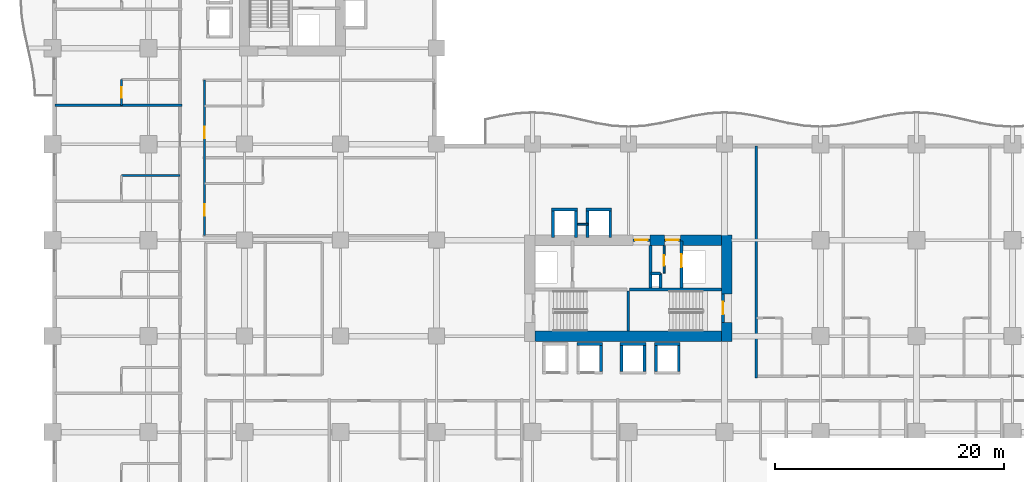
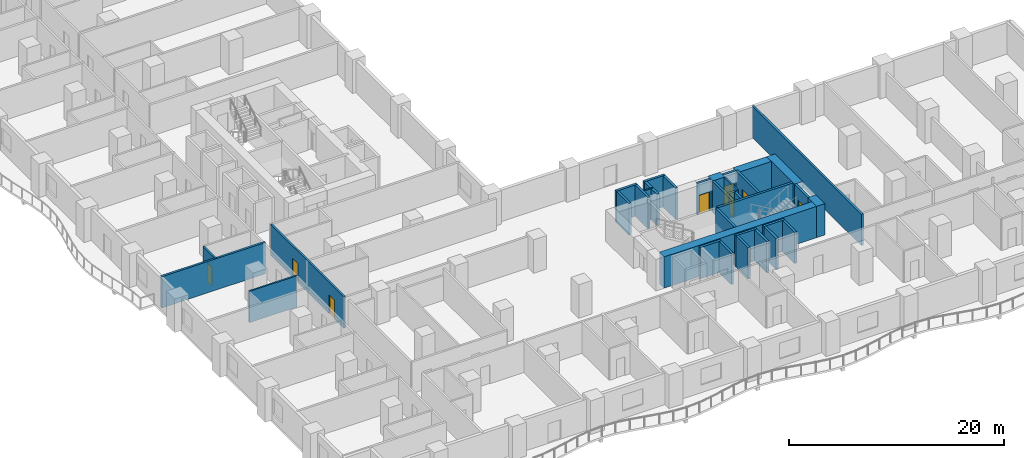
# One storey, part 10 of 23: 35 walls, 8 doors, 8 openings.
"""IFC4 building model written with IfcOpenShell, lengths in metres."""

from ifc_helpers import new_model, si_unit, direction, frame, frame_2d, origin, place, context, subcontext, project, spatial, rectangle, extrude, material, layer, layer_set, type_object, element, fill, save


model = new_model("IFC4")

# Units and contexts
model_context = context("Model", 3, precision=1e-05, world=origin(), true_north=direction((0.0, 1.0)))
body_context = subcontext(model_context, "Body", "Model", "MODEL_VIEW")
ifc_project = project(units=[si_unit("LENGTHUNIT", "METRE"), si_unit("AREAUNIT", "SQUARE_METRE"), si_unit("VOLUMEUNIT", "CUBIC_METRE"), si_unit("PLANEANGLEUNIT", "RADIAN"), si_unit("MASSUNIT", "GRAM", prefix="KILO")], contexts=[model_context])

# Site, building, storey
site_placement = place(None, origin())
site = spatial("IfcSite", under=ifc_project, at=site_placement, CompositionType="ELEMENT")
building_placement = place(site_placement, origin())
building = spatial("IfcBuilding", under=site, at=building_placement, Name="Koriwani Terraces Tower", CompositionType="ELEMENT")
storey_placement = place(building_placement, frame((0.0, 0.0, 32.0)))
storey = spatial("IfcBuildingStorey", under=building, at=storey_placement, Name="L06", CompositionType="ELEMENT", Elevation=32.0)

# Walls
ifc_material_1 = material(Name="Concrete C60/75", Category="concrete")
ifc_layer_1 = layer(ifc_material_1, 0.89990234375, Name="Concrete C60/75")
ifc_layer_set_1 = layer_set([ifc_layer_1], Name="Concrete C60/75")
wall_type_1 = type_object("IfcWallType", Name="WALL_CORE_RC_900", PredefinedType="SHEAR", material=ifc_layer_set_1)
wall_1_placement = place(storey_placement, frame((59.0, 16.35009765625, 0.0), z_axis=(0.0, 0.0, 1.0), x_axis=(0.0, 1.0, 0.0)))
element("IfcWall", 1, at=wall_1_placement, inside=storey, type_object=wall_type_1, Name="L06 East Split Core Shear Wall E1", PredefinedType="SHEAR", context=body_context, shape_type="SweptSolid", body=[
    extrude(rectangle(XDim=1.64990234375, YDim=0.89990234375, at=frame_2d((0.824951171875, 0.0))), origin(), (0.0, 0.0, 1.0), 3.550048828125),
])
wall_2_placement = place(storey_placement, frame((59.0, 20.5, 0.0), z_axis=(0.0, 0.0, 1.0), x_axis=(0.0, 1.0, 0.0)))
element("IfcWall", 2, at=wall_2_placement, inside=storey, type_object=wall_type_1, Name="L06 East Split Core Shear Wall E2", PredefinedType="SHEAR", context=body_context, shape_type="SweptSolid", body=[
    extrude(rectangle(XDim=5.14990234375, YDim=0.89990234375, at=frame_2d((2.574951171875, 0.0))), origin(), (0.0, 0.0, 1.0), 3.550048828125),
])
wall_3_placement = place(storey_placement, frame((42.199951171875, 16.800048828125, 0.0), z_axis=(0.0, 0.0, 1.0), x_axis=(1.0, 0.0, 0.0)))
element("IfcWall", 3, at=wall_3_placement, inside=storey, type_object=wall_type_1, Name="L06 East Split Core Shear Wall S1", PredefinedType="SHEAR", context=body_context, shape_type="SweptSolid", body=[
    extrude(rectangle(XDim=16.35009765625, YDim=0.89990234375, at=frame_2d((8.175048828125, 0.0))), origin(), (0.0, 0.0, 1.0), 3.550048828125),
])
wall_4_placement = place(storey_placement, frame((52.280029296875, 25.199951171875, 0.0), z_axis=(0.0, 0.0, 1.0), x_axis=(1.0, 0.0, 0.0)))
element("IfcWall", 4, at=wall_4_placement, inside=storey, type_object=wall_type_1, Name="L06 East Split Core Shear Wall N2", PredefinedType="SHEAR", context=body_context, shape_type="SweptSolid", body=[
    extrude(rectangle(XDim=1.27001953125, YDim=0.89990234375, at=frame_2d((0.635009765625, 0.0))), origin(), (0.0, 0.0, 1.0), 3.550048828125),
])
wall_5_placement = place(storey_placement, frame((54.949951171875, 25.199951171875, 0.0), z_axis=(0.0, 0.0, 1.0), x_axis=(1.0, 0.0, 0.0)))
element("IfcWall", 5, at=wall_5_placement, inside=storey, type_object=wall_type_1, Name="L06 East Split Core Shear Wall N3", PredefinedType="SHEAR", context=body_context, shape_type="SweptSolid", body=[
    extrude(rectangle(XDim=3.60009765625, YDim=0.89990234375, at=frame_2d((1.800048828125, 0.0))), origin(), (0.0, 0.0, 1.0), 3.550048828125),
])

# Wall, openings, doors
ifc_material_2 = material(Name="Autoclaved Cellular Concrete Blockwork", Category="masonry")
ifc_layer_2 = layer(ifc_material_2, 0.199951171875, Name="Autoclaved Cellular Concrete Blockwork")
ifc_layer_set_2 = layer_set([ifc_layer_2], Name="Autoclaved Cellular Concrete Blockwork")
wall_type_2 = type_object("IfcWallType", Name="WALL_CORRIDOR_200", PredefinedType="PARTITIONING", material=ifc_layer_set_2)
wall_6_placement = place(storey_placement, frame((13.300048828125, 25.60009765625, 0.0), z_axis=(0.0, 0.0, 1.0), x_axis=(0.0, 1.0, 0.0)))
wall_6 = element("IfcWall", 6, at=wall_6_placement, inside=storey, type_object=wall_type_2, Name="L06 Interior Wall WCOR-L06-NWI-0", PredefinedType="PARTITIONING", context=body_context, shape_type="SweptSolid", body=[
    extrude(rectangle(XDim=13.599853515625, YDim=0.199951171875, at=frame_2d((6.7998046875, 0.0))), origin(), (0.0, 0.0, 1.0), 3.550048828125),
])
opening_1_placement = place(wall_6_placement, frame((1.735107421875, 0.0, 0.0)))
opening_1 = element("IfcOpeningElement", 7, at=opening_1_placement, cuts=wall_6, Name="Opening D-05", PredefinedType="OPENING", context=body_context, shape_type="SweptSolid", body=[
    extrude(rectangle(XDim=1.0, YDim=2.14990234375, at=frame_2d((0.5, 1.074951171875))), frame((0.0, 0.10986328125, 0.0), z_axis=(0.0, -1.0, 0.0), x_axis=(1.0, 0.0, 0.0)), (0.0, 0.0, 1.0), 0.219970703125),
])
opening_2_placement = place(wall_6_placement, frame((8.534912109375, 0.0, 0.0)))
opening_2 = element("IfcOpeningElement", 8, at=opening_2_placement, cuts=wall_6, Name="Opening D-05", PredefinedType="OPENING", context=body_context, shape_type="SweptSolid", body=[
    extrude(rectangle(XDim=1.0, YDim=2.14990234375, at=frame_2d((0.5, 1.074951171875))), frame((0.0, 0.10986328125, 0.0), z_axis=(0.0, -1.0, 0.0), x_axis=(1.0, 0.0, 0.0)), (0.0, 0.0, 1.0), 0.219970703125),
])
ifc_material_3 = material(Name="Architectural Oak Fire Door", Category="wood")
door_type_1 = type_object("IfcDoorType", Name="DOOR_SUITE_ENTRY_1000X2150", OperationType="NOTDEFINED", PredefinedType="DOOR", material=ifc_material_3)
door_1_placement = place(opening_1_placement, origin())
door_1 = element("IfcDoor", 9, at=door_1_placement, inside=storey, type_object=door_type_1, Name="Luxury Hotel Suite 06NWI1 Entrance Door", OperationType="SINGLE_SWING_RIGHT", OverallHeight=2.14990234375, OverallWidth=1.0, PredefinedType="DOOR", context=body_context, shape_type="SweptSolid", body=[
    extrude(rectangle(XDim=1.0, YDim=2.14990234375, at=frame_2d((0.5, 1.074951171875))), frame((0.0, 0.02490234375, 0.0), z_axis=(0.0, -1.0, 0.0), x_axis=(1.0, 0.0, 0.0)), (0.0, 0.0, 1.0), 0.050048828125),
])
fill(opening_1, door_1)
door_2_placement = place(opening_2_placement, origin())
door_2 = element("IfcDoor", 10, at=door_2_placement, inside=storey, type_object=door_type_1, Name="Luxury Hotel Suite 06NWI2 Entrance Door", OperationType="SINGLE_SWING_RIGHT", OverallHeight=2.14990234375, OverallWidth=1.0, PredefinedType="DOOR", context=body_context, shape_type="SweptSolid", body=[
    extrude(rectangle(XDim=1.0, YDim=2.14990234375, at=frame_2d((0.5, 1.074951171875))), frame((0.0, 0.02490234375, 0.0), z_axis=(0.0, -1.0, 0.0), x_axis=(1.0, 0.0, 0.0)), (0.0, 0.0, 1.0), 0.050048828125),
])
fill(opening_2, door_2)

# Walls
ifc_layer_3 = layer(ifc_material_2, 0.219970703125, Name="Autoclaved Cellular Concrete Blockwork")
ifc_layer_set_3 = layer_set([ifc_layer_3], Name="Autoclaved Cellular Concrete Blockwork")
wall_type_3 = type_object("IfcWallType", Name="WALL_DEMISING_220", PredefinedType="PARTITIONING", material=ifc_layer_set_3)
wall_7_placement = place(storey_placement, frame((0.199951171875, 37.0, 0.0), z_axis=(0.0, 0.0, 1.0), x_axis=(1.0, 0.0, 0.0)))
element("IfcWall", 11, at=wall_7_placement, inside=storey, type_object=wall_type_3, Name="L06 Interior Wall WDEM-L06-NW-4", PredefinedType="PARTITIONING", context=body_context, shape_type="SweptSolid", body=[
    extrude(rectangle(XDim=11.130126953125, YDim=0.219970703125, at=frame_2d((5.56494140625, 0.0))), origin(), (0.0, 0.0, 1.0), 3.550048828125),
])
wall_8_placement = place(storey_placement, frame((61.60009765625, 13.14990234375, 0.0), z_axis=(0.0, 0.0, 1.0), x_axis=(0.0, 1.0, 0.0)))
element("IfcWall", 12, at=wall_8_placement, inside=storey, type_object=wall_type_3, Name="L06 Interior Wall WDEM-L06-SE-0", PredefinedType="PARTITIONING", context=body_context, shape_type="SweptSolid", body=[
    extrude(rectangle(XDim=20.280029296875, YDim=0.219970703125, at=frame_2d((10.14013671875, 0.0))), origin(), (0.0, 0.0, 1.0), 3.550048828125),
])
ifc_material_4 = material(Name="Fire-Rated Acoustic Gypsum Partition", Category="masonry")
ifc_layer_4 = layer(ifc_material_4, 0.179931640625, Name="Fire-Rated Acoustic Gypsum Partition")
ifc_layer_set_4 = layer_set([ifc_layer_4], Name="Fire-Rated Acoustic Gypsum Partition")
wall_type_4 = type_object("IfcWallType", Name="WALL_PLUMBING_180", PredefinedType="PLUMBINGWALL", material=ifc_layer_set_4)
wall_9_placement = place(storey_placement, frame((6.050048828125, 30.85009765625, 0.0), z_axis=(0.0, 0.0, 1.0), x_axis=(1.0, 0.0, 0.0)))
element("IfcWall", 13, at=wall_9_placement, inside=storey, type_object=wall_type_4, Name="L06 Interior Wall WBTH2-L06-NW-3", PredefinedType="PLUMBINGWALL", context=body_context, shape_type="SweptSolid", body=[
    extrude(rectangle(XDim=5.099853515625, YDim=0.179931640625, at=frame_2d((2.5498046875, 0.0))), origin(), (0.0, 0.0, 1.0), 3.550048828125),
])

# Wall, opening, door
wall_10_placement = place(storey_placement, frame((6.050048828125, 37.0, 0.0), z_axis=(0.0, 0.0, 1.0), x_axis=(0.0, 1.0, 0.0)))
wall_10 = element("IfcWall", 14, at=wall_10_placement, inside=storey, type_object=wall_type_4, Name="L06 Interior Wall WBTH1-L06-NW-4", PredefinedType="PLUMBINGWALL", context=body_context, shape_type="SweptSolid", body=[
    extrude(rectangle(XDim=2.25, YDim=0.179931640625, at=frame_2d((1.125, 0.0))), origin(), (0.0, 0.0, 1.0), 3.550048828125),
])
opening_3_placement = place(wall_10_placement, frame((0.675048828125, 0.0, 0.0)))
opening_3 = element("IfcOpeningElement", 15, at=opening_3_placement, cuts=wall_10, Name="Opening D-07", PredefinedType="OPENING", context=body_context, shape_type="SweptSolid", body=[
    extrude(rectangle(XDim=0.89990234375, YDim=2.10009765625, at=frame_2d((0.449951171875, 1.050048828125))), frame((0.0, 0.10009765625, 0.0), z_axis=(0.0, -1.0, 0.0), x_axis=(1.0, 0.0, 0.0)), (0.0, 0.0, 1.0), 0.199951171875),
])
door_type_2 = type_object("IfcDoorType", Name="DOOR_BATH_INT_900X2100", OperationType="NOTDEFINED", PredefinedType="DOOR", material=ifc_material_3)
door_3_placement = place(opening_3_placement, origin())
door_3 = element("IfcDoor", 16, at=door_3_placement, inside=storey, type_object=door_type_2, Name="En-Suite Bathroom 06NW5 Door", OperationType="SINGLE_SWING_LEFT", OverallHeight=2.10009765625, OverallWidth=0.89990234375, PredefinedType="DOOR", context=body_context, shape_type="SweptSolid", body=[
    extrude(rectangle(XDim=0.89990234375, YDim=2.10009765625, at=frame_2d((0.449951171875, 1.050048828125))), frame((0.0, 0.02490234375, 0.0), z_axis=(0.0, -1.0, 0.0), x_axis=(1.0, 0.0, 0.0)), (0.0, 0.0, 1.0), 0.050048828125),
])
fill(opening_3, door_3)

# Walls
ifc_material_5 = material(Name="Concrete C40/50", Category="concrete")
ifc_layer_5 = layer(ifc_material_5, 0.25, Name="Concrete C40/50")
ifc_layer_set_5 = layer_set([ifc_layer_5], Name="Concrete C40/50")
wall_type_5 = type_object("IfcWallType", Name="WALL_SHAFT_RATED_250", PredefinedType="SOLIDWALL", material=ifc_layer_set_5)
wall_11_placement = place(storey_placement, frame((50.5, 20.875, 0.0), z_axis=(0.0, 0.0, 1.0), x_axis=(1.0, 0.0, 0.0)))
element("IfcWall", 17, at=wall_11_placement, inside=storey, type_object=wall_type_5, Name="L06 East Split Core Web Wall MID2", PredefinedType="SOLIDWALL", context=body_context, shape_type="SweptSolid", body=[
    extrude(rectangle(XDim=8.050048828125, YDim=0.25, at=frame_2d((4.02490234375, 0.0))), origin(), (0.0, 0.0, 1.0), 3.550048828125),
])
wall_12_placement = place(storey_placement, frame((50.375, 17.25, 0.0), z_axis=(0.0, 0.0, 1.0), x_axis=(0.0, 1.0, 0.0)))
element("IfcWall", 18, at=wall_12_placement, inside=storey, type_object=wall_type_5, Name="L06 East Split Core Stair Dividing Wall", PredefinedType="SOLIDWALL", context=body_context, shape_type="SweptSolid", body=[
    extrude(rectangle(XDim=3.5, YDim=0.25, at=frame_2d((1.75, 0.0))), origin(), (0.0, 0.0, 1.0), 3.550048828125),
])

# Wall, opening, door
wall_13_placement = place(storey_placement, frame((58.675048828125, 18.0, 0.0), z_axis=(0.0, 0.0, 1.0), x_axis=(0.0, 1.0, 0.0)))
wall_13 = element("IfcWall", 19, at=wall_13_placement, inside=storey, type_object=wall_type_5, Name="L06 Interior Wall WIN-CE-L06-STE", PredefinedType="SOLIDWALL", context=body_context, shape_type="SweptSolid", body=[
    extrude(rectangle(XDim=2.5, YDim=0.25, at=frame_2d((1.25, 0.0))), origin(), (0.0, 0.0, 1.0), 3.550048828125),
])
opening_4_placement = place(wall_13_placement, frame((0.699951171875, 0.0, 0.0)))
opening_4 = element("IfcOpeningElement", 20, at=opening_4_placement, cuts=wall_13, Name="Opening D-03", PredefinedType="OPENING", context=body_context, shape_type="SweptSolid", body=[
    extrude(rectangle(XDim=1.10009765625, YDim=2.14990234375, at=frame_2d((0.550048828125, 1.074951171875))), frame((0.0, 0.135009765625, 0.0), z_axis=(0.0, -1.0, 0.0), x_axis=(1.0, 0.0, 0.0)), (0.0, 0.0, 1.0), 0.27001953125),
])
ifc_material_6 = material(Name="Steel ASTM A572 Grade 50", Category="steel")
door_type_3 = type_object("IfcDoorType", Name="DOOR_STAIR_FIRE_1100X2150", OperationType="NOTDEFINED", PredefinedType="DOOR", material=ifc_material_6)
door_4_placement = place(opening_4_placement, origin())
door_4 = element("IfcDoor", 21, at=door_4_placement, inside=storey, type_object=door_type_3, Name="L06 Exit Stair ST-E2 Door", OperationType="SINGLE_SWING_RIGHT", OverallHeight=2.14990234375, OverallWidth=1.10009765625, PredefinedType="DOOR", context=body_context, shape_type="SweptSolid", body=[
    extrude(rectangle(XDim=1.10009765625, YDim=2.14990234375, at=frame_2d((0.550048828125, 1.074951171875))), frame((0.0, 0.02490234375, 0.0), z_axis=(0.0, -1.0, 0.0), x_axis=(1.0, 0.0, 0.0)), (0.0, 0.0, 1.0), 0.050048828125),
])
fill(opening_4, door_4)

wall_14_placement = place(storey_placement, frame((50.800048828125, 25.199951171875, 0.0), z_axis=(0.0, 0.0, 1.0), x_axis=(1.0, 0.0, 0.0)))
wall_14 = element("IfcWall", 22, at=wall_14_placement, inside=storey, type_object=wall_type_5, Name="L06 Interior Wall WIN-CE-L06-NP", PredefinedType="SOLIDWALL", context=body_context, shape_type="SweptSolid", body=[
    extrude(rectangle(XDim=1.47998046875, YDim=0.25, at=frame_2d((0.739990234375, 0.0))), origin(), (0.0, 0.0, 1.0), 3.550048828125),
])
opening_5_placement = place(wall_14_placement, frame((0.179931640625, 0.0, 0.0)))
opening_5 = element("IfcOpeningElement", 23, at=opening_5_placement, cuts=wall_14, Name="Opening D-03", PredefinedType="OPENING", context=body_context, shape_type="SweptSolid", body=[
    extrude(rectangle(XDim=1.10009765625, YDim=2.14990234375, at=frame_2d((0.550048828125, 1.074951171875))), frame((0.0, 0.135009765625, 0.0), z_axis=(0.0, -1.0, 0.0), x_axis=(1.0, 0.0, 0.0)), (0.0, 0.0, 1.0), 0.27001953125),
])
door_5_placement = place(opening_5_placement, origin())
door_5 = element("IfcDoor", 24, at=door_5_placement, inside=storey, type_object=door_type_3, Name="L06 East Firefighting Lobby Door", OperationType="SINGLE_SWING_LEFT", OverallHeight=2.14990234375, OverallWidth=1.10009765625, PredefinedType="DOOR", context=body_context, shape_type="SweptSolid", body=[
    extrude(rectangle(XDim=1.10009765625, YDim=2.14990234375, at=frame_2d((0.550048828125, 1.074951171875))), frame((0.0, 0.02490234375, 0.0), z_axis=(0.0, -1.0, 0.0), x_axis=(1.0, 0.0, 0.0)), (0.0, 0.0, 1.0), 0.050048828125),
])
fill(opening_5, door_5)

# Wall
wall_15_placement = place(storey_placement, frame((52.340087890625, 21.0, 0.0), z_axis=(0.0, 0.0, 1.0), x_axis=(0.0, 1.0, 0.0)))
element("IfcWall", 25, at=wall_15_placement, inside=storey, type_object=wall_type_5, Name="L06 Interior Wall WIN-CE-L06-FFE", PredefinedType="SOLIDWALL", context=body_context, shape_type="SweptSolid", body=[
    extrude(rectangle(XDim=3.75, YDim=0.25, at=frame_2d((1.875, 0.0))), origin(), (0.0, 0.0, 1.0), 3.550048828125),
])

# Wall, opening, door
wall_16_placement = place(storey_placement, frame((55.050048828125, 21.0, 0.0), z_axis=(0.0, 0.0, 1.0), x_axis=(0.0, 1.0, 0.0)))
wall_16 = element("IfcWall", 26, at=wall_16_placement, inside=storey, type_object=wall_type_5, Name="L06 Interior Wall WIN-CE-L06-SE", PredefinedType="SOLIDWALL", context=body_context, shape_type="SweptSolid", body=[
    extrude(rectangle(XDim=4.14990234375, YDim=0.25, at=frame_2d((2.074951171875, 0.0))), origin(), (0.0, 0.0, 1.0), 3.550048828125),
])
opening_6_placement = place(wall_16_placement, frame((1.85009765625, 0.0, 0.0)))
opening_6 = element("IfcOpeningElement", 27, at=opening_6_placement, cuts=wall_16, Name="Opening LD-01", PredefinedType="OPENING", context=body_context, shape_type="SweptSolid", body=[
    extrude(rectangle(XDim=1.10009765625, YDim=2.14990234375, at=frame_2d((0.550048828125, 1.074951171875))), frame((0.0, 0.135009765625, 0.0), z_axis=(0.0, -1.0, 0.0), x_axis=(1.0, 0.0, 0.0)), (0.0, 0.0, 1.0), 0.27001953125),
])
door_type_4 = type_object("IfcDoorType", Name="DOOR_LIFT_LANDING_1100X2200", OperationType="NOTDEFINED", PredefinedType="DOOR", material=ifc_material_6)
door_6_placement = place(opening_6_placement, origin())
door_6 = element("IfcDoor", 28, at=door_6_placement, inside=storey, type_object=door_type_4, Name="L06 Goods Lift SE-02 Landing Door", OperationType="SLIDING_TO_LEFT", OverallHeight=2.14990234375, OverallWidth=1.10009765625, PredefinedType="DOOR", context=body_context, shape_type="SweptSolid", body=[
    extrude(rectangle(XDim=1.10009765625, YDim=2.14990234375, at=frame_2d((0.550048828125, 1.074951171875))), frame((0.0, 0.02490234375, 0.0), z_axis=(0.0, -1.0, 0.0), x_axis=(1.0, 0.0, 0.0)), (0.0, 0.0, 1.0), 0.050048828125),
])
fill(opening_6, door_6)

wall_17_placement = place(storey_placement, frame((53.550048828125, 25.199951171875, 0.0), z_axis=(0.0, 0.0, 1.0), x_axis=(1.0, 0.0, 0.0)))
wall_17 = element("IfcWall", 29, at=wall_17_placement, inside=storey, type_object=wall_type_5, Name="L06 Interior Wall WIN-CE-L06-NP2", PredefinedType="SOLIDWALL", context=body_context, shape_type="SweptSolid", body=[
    extrude(rectangle(XDim=1.39990234375, YDim=0.25, at=frame_2d((0.699951171875, 0.0))), origin(), (0.0, 0.0, 1.0), 3.550048828125),
])
opening_7_placement = place(wall_17_placement, frame((0.14990234375, 0.0, 0.0)))
opening_7 = element("IfcOpeningElement", 30, at=opening_7_placement, cuts=wall_17, Name="Opening D-03", PredefinedType="OPENING", context=body_context, shape_type="SweptSolid", body=[
    extrude(rectangle(XDim=1.10009765625, YDim=2.14990234375, at=frame_2d((0.550048828125, 1.074951171875))), frame((0.0, 0.135009765625, 0.0), z_axis=(0.0, -1.0, 0.0), x_axis=(1.0, 0.0, 0.0)), (0.0, 0.0, 1.0), 0.27001953125),
])
door_7_placement = place(opening_7_placement, origin())
door_7 = element("IfcDoor", 31, at=door_7_placement, inside=storey, type_object=door_type_3, Name="L06 East Goods Lift Lobby Door", OperationType="SINGLE_SWING_RIGHT", OverallHeight=2.14990234375, OverallWidth=1.10009765625, PredefinedType="DOOR", context=body_context, shape_type="SweptSolid", body=[
    extrude(rectangle(XDim=1.10009765625, YDim=2.14990234375, at=frame_2d((0.550048828125, 1.074951171875))), frame((0.0, 0.02490234375, 0.0), z_axis=(0.0, -1.0, 0.0), x_axis=(1.0, 0.0, 0.0)), (0.0, 0.0, 1.0), 0.050048828125),
])
fill(opening_7, door_7)

# Walls
wall_18_placement = place(storey_placement, frame((53.199951171875, 21.0, 0.0), z_axis=(0.0, 0.0, 1.0), x_axis=(0.0, 1.0, 0.0)))
element("IfcWall", 32, at=wall_18_placement, inside=storey, type_object=wall_type_5, Name="L06 Interior Wall WIN-CE-L06-RS1", PredefinedType="SOLIDWALL", context=body_context, shape_type="SweptSolid", body=[
    extrude(rectangle(XDim=1.300048828125, YDim=0.25, at=frame_2d((0.64990234375, 0.0))), origin(), (0.0, 0.0, 1.0), 3.550048828125),
])
wall_19_placement = place(storey_placement, frame((52.360107421875, 22.300048828125, 0.0), z_axis=(0.0, 0.0, 1.0), x_axis=(1.0, 0.0, 0.0)))
element("IfcWall", 33, at=wall_19_placement, inside=storey, type_object=wall_type_5, Name="L06 Interior Wall WIN-CE-L06-RS2", PredefinedType="SOLIDWALL", context=body_context, shape_type="SweptSolid", body=[
    extrude(rectangle(XDim=0.83984375, YDim=0.25, at=frame_2d((0.419921875, 0.0))), origin(), (0.0, 0.0, 1.0), 3.550048828125),
])
for number, where, z_axis, x_axis, name in (
    (34, (45.875, 16.10009765625, 0.0), (0.0, 0.0, 1.0), (1.0, 0.0, 0.0), "L06 Interior Wall WIN-LF-PE-L4-L06-B"),
    (35, (48.0, 13.72509765625, 0.0), (0.0, 0.0, 1.0), (0.0, 1.0, 0.0), "L06 Interior Wall WIN-LF-PE-L4-L06-E"),
    (36, (49.675048828125, 16.10009765625, 0.0), (0.0, 0.0, 1.0), (1.0, 0.0, 0.0), "L06 Interior Wall WIN-LF-PE-M3-L06-B"),
    (37, (49.800048828125, 13.72509765625, 0.0), (0.0, 0.0, 1.0), (0.0, 1.0, 0.0), "L06 Interior Wall WIN-LF-PE-M3-L06-W"),
    (38, (51.800048828125, 13.72509765625, 0.0), (0.0, 0.0, 1.0), (0.0, 1.0, 0.0), "L06 Interior Wall WIN-LF-PE-M3-L06-E"),
    (39, (52.675048828125, 16.10009765625, 0.0), (0.0, 0.0, 1.0), (1.0, 0.0, 0.0), "L06 Interior Wall WIN-LF-PE-M4-L06-B"),
    (40, (52.800048828125, 13.72509765625, 0.0), (0.0, 0.0, 1.0), (0.0, 1.0, 0.0), "L06 Interior Wall WIN-LF-PE-M4-L06-W"),
    (41, (54.800048828125, 13.72509765625, 0.0), (0.0, 0.0, 1.0), (0.0, 1.0, 0.0), "L06 Interior Wall WIN-LF-PE-M4-L06-E"),
    (42, (43.675048828125, 27.89990234375, 0.0), (0.0, 0.0, 1.0), (1.0, 0.0, 0.0), "L06 Interior Wall WIN-LF-PE-H3-L06-F"),
):
    element("IfcWall", number, at=place(storey_placement, frame(where, z_axis=z_axis, x_axis=x_axis)), inside=storey, type_object=wall_type_5, Name=name, PredefinedType="SOLIDWALL", context=body_context, shape_type="SweptSolid", body=[
        extrude(rectangle(XDim=2.25, YDim=0.25, at=frame_2d((1.125, 0.0))), origin(), (0.0, 0.0, 1.0), 3.550048828125),
    ])
for number, where, z_axis, x_axis, name in (
    (43, (43.800048828125, 25.449951171875, 0.0), (0.0, 0.0, 1.0), (0.0, 1.0, 0.0), "L06 Interior Wall WIN-LF-PE-H3-L06-W"),
    (44, (45.800048828125, 25.449951171875, 0.0), (0.0, 0.0, 1.0), (0.0, 1.0, 0.0), "L06 Interior Wall WIN-LF-PE-H3-L06-E"),
):
    element("IfcWall", number, at=place(storey_placement, frame(where, z_axis=z_axis, x_axis=x_axis)), inside=storey, type_object=wall_type_5, Name=name, PredefinedType="SOLIDWALL", context=body_context, shape_type="SweptSolid", body=[
        extrude(rectangle(XDim=2.324951171875, YDim=0.25, at=frame_2d((1.16259765625, 0.0))), origin(), (0.0, 0.0, 1.0), 3.550048828125),
    ])
wall_20_placement = place(storey_placement, frame((46.675048828125, 27.89990234375, 0.0), z_axis=(0.0, 0.0, 1.0), x_axis=(1.0, 0.0, 0.0)))
element("IfcWall", 45, at=wall_20_placement, inside=storey, type_object=wall_type_5, Name="L06 Interior Wall WIN-LF-PE-H4-L06-F", PredefinedType="SOLIDWALL", context=body_context, shape_type="SweptSolid", body=[
    extrude(rectangle(XDim=2.25, YDim=0.25, at=frame_2d((1.125, 0.0))), origin(), (0.0, 0.0, 1.0), 3.550048828125),
])
for number, where, z_axis, x_axis, name in (
    (46, (46.800048828125, 25.449951171875, 0.0), (0.0, 0.0, 1.0), (0.0, 1.0, 0.0), "L06 Interior Wall WIN-LF-PE-H4-L06-W"),
    (47, (48.800048828125, 25.449951171875, 0.0), (0.0, 0.0, 1.0), (0.0, 1.0, 0.0), "L06 Interior Wall WIN-LF-PE-H4-L06-E"),
):
    element("IfcWall", number, at=place(storey_placement, frame(where, z_axis=z_axis, x_axis=x_axis)), inside=storey, type_object=wall_type_5, Name=name, PredefinedType="SOLIDWALL", context=body_context, shape_type="SweptSolid", body=[
        extrude(rectangle(XDim=2.324951171875, YDim=0.25, at=frame_2d((1.16259765625, 0.0))), origin(), (0.0, 0.0, 1.0), 3.550048828125),
    ])

# Wall, opening, door
ifc_layer_6 = layer(ifc_material_4, 0.159912109375, Name="Fire-Rated Acoustic Gypsum Partition")
ifc_layer_set_6 = layer_set([ifc_layer_6], Name="Fire-Rated Acoustic Gypsum Partition")
wall_type_6 = type_object("IfcWallType", Name="WALL_SUITE_160", PredefinedType="PARTITIONING", material=ifc_layer_set_6)
wall_21_placement = place(storey_placement, frame((53.52001953125, 22.320068359375, 0.0), z_axis=(0.0, 0.0, 1.0), x_axis=(0.0, 1.0, 0.0)))
wall_21 = element("IfcWall", 48, at=wall_21_placement, inside=storey, type_object=wall_type_6, Name="L06 Interior Wall WIN-CE-L06-SV0", PredefinedType="PARTITIONING", context=body_context, shape_type="SweptSolid", body=[
    extrude(rectangle(XDim=2.39990234375, YDim=0.159912109375, at=frame_2d((1.199951171875, 0.0))), origin(), (0.0, 0.0, 1.0), 3.550048828125),
])
opening_8_placement = place(wall_21_placement, frame((0.64990234375, 0.0, 0.0)))
opening_8 = element("IfcOpeningElement", 49, at=opening_8_placement, cuts=wall_21, Name="Opening D-07", PredefinedType="OPENING", context=body_context, shape_type="SweptSolid", body=[
    extrude(rectangle(XDim=0.89990234375, YDim=2.10009765625, at=frame_2d((0.449951171875, 1.050048828125))), frame((0.0, 0.08984375, 0.0), z_axis=(0.0, -1.0, 0.0), x_axis=(1.0, 0.0, 0.0)), (0.0, 0.0, 1.0), 0.179931640625),
])
door_8_placement = place(opening_8_placement, origin())
door_8 = element("IfcDoor", 50, at=door_8_placement, inside=storey, type_object=door_type_2, Name="L06 East Electrical Switch Room Door", OperationType="SINGLE_SWING_LEFT", OverallHeight=2.10009765625, OverallWidth=0.89990234375, PredefinedType="DOOR", context=body_context, shape_type="SweptSolid", body=[
    extrude(rectangle(XDim=0.89990234375, YDim=2.10009765625, at=frame_2d((0.449951171875, 1.050048828125))), frame((0.0, 0.02490234375, 0.0), z_axis=(0.0, -1.0, 0.0), x_axis=(1.0, 0.0, 0.0)), (0.0, 0.0, 1.0), 0.050048828125),
])
fill(opening_8, door_8)

# Wall
wall_22_placement = place(storey_placement, frame((45.9599609375, 26.60009765625, 0.0), z_axis=(0.0, 0.0, 1.0), x_axis=(1.0, 0.0, 0.0)))
element("IfcWall", 51, at=wall_22_placement, inside=storey, type_object=wall_type_6, Name="L06 Interior Wall WIN-LF-PEH34-MID-L06", PredefinedType="PARTITIONING", context=body_context, shape_type="SweptSolid", body=[
    extrude(rectangle(XDim=0.880126953125, YDim=0.159912109375, at=frame_2d((0.43994140625, 0.0))), origin(), (0.0, 0.0, 1.0), 3.550048828125),
])

save(model, "model.ifc")
